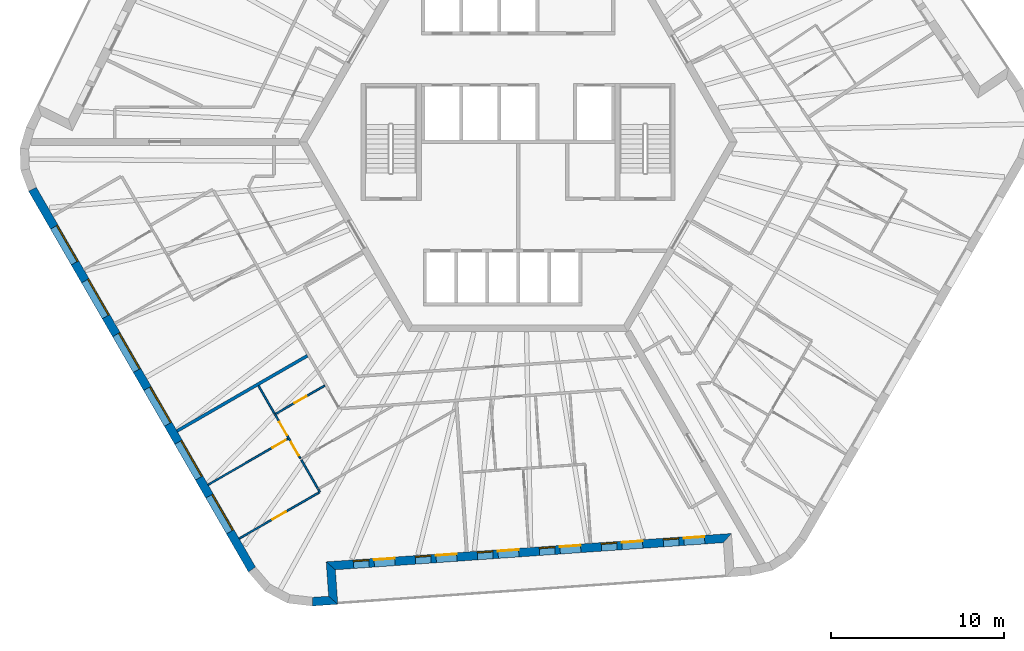
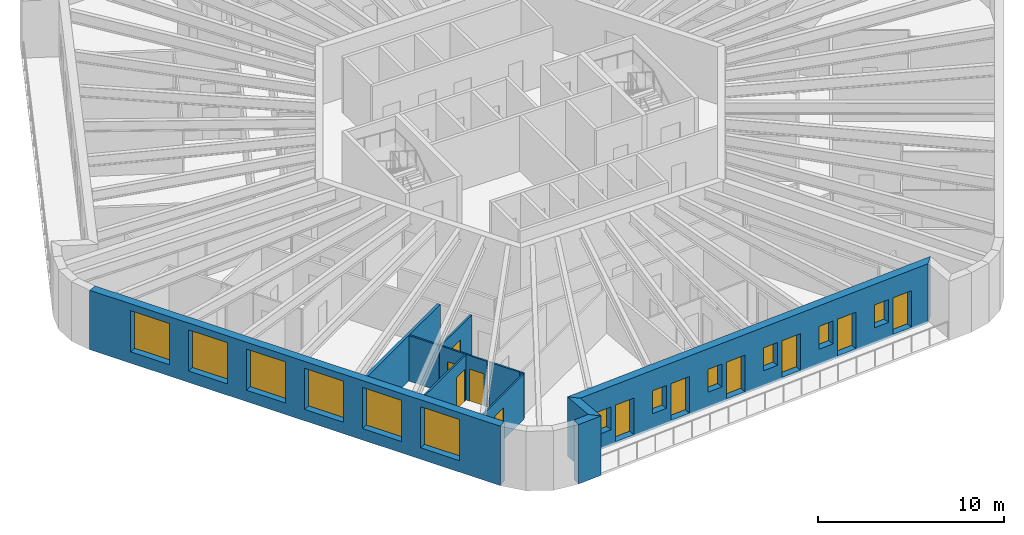
# One storey, part 3 of 12: 12 walls, 12 windows, 11 doors, 23 openings.
"""IFC4 building model written with IfcOpenShell, lengths in metres."""

from ifc_helpers import new_model, si_unit, direction, frame, frame_2d, origin, place, context, subcontext, project, spatial, polyline, rectangle, outline, extrude, material, layer, layer_set, type_object, element, fill, save


model = new_model("IFC4")

# Units and contexts
model_context = context("Model", 3, precision=1e-05, world=origin(), true_north=direction((0.0, 1.0)))
body_context = subcontext(model_context, "Body", "Model", "MODEL_VIEW")
ifc_project = project(units=[si_unit("LENGTHUNIT", "METRE"), si_unit("AREAUNIT", "SQUARE_METRE"), si_unit("VOLUMEUNIT", "CUBIC_METRE"), si_unit("PLANEANGLEUNIT", "RADIAN"), si_unit("MASSUNIT", "GRAM", prefix="KILO")], contexts=[model_context])

# Site, building, storey
site_placement = place(None, origin())
site = spatial("IfcSite", under=ifc_project, at=site_placement, CompositionType="ELEMENT")
building_placement = place(site_placement, origin())
building = spatial("IfcBuilding", under=site, at=building_placement, Name="Tarnside Tower", CompositionType="ELEMENT")
storey_placement = place(building_placement, frame((0.0, 0.0, 322.5)))
storey = spatial("IfcBuildingStorey", under=building, at=storey_placement, Name="L78", CompositionType="ELEMENT", Elevation=322.5)

# Wall, opening, door
ifc_material_1 = material(Name="Gypsum board partition on steel studs", Category="steel")
ifc_layer_1 = layer(ifc_material_1, 0.10009765625)
ifc_layer_set_1 = layer_set([ifc_layer_1], Name="Bathroom wall 100")
wall_type_1 = type_object("IfcWallType", Name="Bathroom wall 100", PredefinedType="PARTITIONING", material=ifc_layer_set_1)
wall_1_placement = place(storey_placement, frame((-11.215087890625, -14.124755859375, 0.0), z_axis=(0.0, 0.0, 1.0), x_axis=(-0.866020521143, -0.500008456887, 0.0)))
wall_1 = element("IfcWall", 1, at=wall_1_placement, inside=storey, type_object=wall_type_1, Name="Bathroom wall 25128", PredefinedType="PARTITIONING", context=body_context, shape_type="SweptSolid", body=[
    extrude(rectangle(XDim=3.3251953125, YDim=0.10009765625, at=frame_2d((1.66259765625, 0.0))), origin(), (0.0, 0.0, 1.0), 2.98779296875),
])
opening_1_placement = place(wall_1_placement, frame((1.22509765625, 0.0, 0.0)))
opening_1 = element("IfcOpeningElement", 2, at=opening_1_placement, cuts=wall_1, Name="Opening D-B1", PredefinedType="OPENING", context=body_context, shape_type="SweptSolid", body=[
    extrude(rectangle(XDim=0.800048828125, YDim=2.10009765625, at=frame_2d((0.39990234375, 1.050048828125))), frame((0.0, 0.06005859375, 0.0), z_axis=(0.0, -1.0, 0.0), x_axis=(1.0, 0.0, 0.0)), (0.0, 0.0, 1.0), 0.1201171875),
])
ifc_material_2 = material(Name="Timber door leaf", Category="wood")
door_type_1 = type_object("IfcDoorType", Name="Bathroom door 800", OperationType="NOTDEFINED", PredefinedType="DOOR", material=ifc_material_2)
door_1_placement = place(opening_1_placement, origin())
door_1 = element("IfcDoor", 3, at=door_1_placement, inside=storey, type_object=door_type_1, Name="Bathroom door 25030", OperationType="SINGLE_SWING_RIGHT", OverallHeight=2.10009765625, OverallWidth=0.800048828125, PredefinedType="DOOR", context=body_context, shape_type="SweptSolid", body=[
    extrude(rectangle(XDim=0.800048828125, YDim=2.10009765625, at=frame_2d((0.39990234375, 1.050048828125))), frame((0.0, 0.02490234375, 0.0), z_axis=(0.0, -1.0, 0.0), x_axis=(1.0, 0.0, 0.0)), (0.0, 0.0, 1.0), 0.050048828125),
])
fill(opening_1, door_1)

# Walls
wall_2_placement = place(storey_placement, frame((-15.0498046875, -14.133056640625, 0.0), z_axis=(0.0, 0.0, 1.0), x_axis=(0.500059143742, -0.865991254436, 0.0)))
element("IfcWall", 4, at=wall_2_placement, inside=storey, type_object=wall_type_1, Name="Bathroom wall 25132", PredefinedType="PARTITIONING", context=body_context, shape_type="SweptSolid", body=[
    extrude(rectangle(XDim=1.862060546875, YDim=0.10009765625, at=frame_2d((0.93115234375, 0.0))), origin(), (0.0, 0.0, 1.0), 2.98779296875),
])
wall_3_placement = place(storey_placement, frame((-11.61962890625, -20.073974609375, 0.0), z_axis=(0.0, 0.0, 1.0), x_axis=(-0.500119165741, 0.865956592479, 0.0)))
element("IfcWall", 5, at=wall_3_placement, inside=storey, type_object=wall_type_1, Name="Bathroom wall 25134", PredefinedType="PARTITIONING", context=body_context, shape_type="SweptSolid", body=[
    extrude(rectangle(XDim=1.89990234375, YDim=0.10009765625, at=frame_2d((0.949951171875, 0.0))), origin(), (0.0, 0.0, 1.0), 2.98779296875),
])
ifc_layer_2 = layer(ifc_material_1, 0.179931640625)
ifc_layer_set_2 = layer_set([ifc_layer_2], Name="Demising wall 180 EI 60")
wall_type_2 = type_object("IfcWallType", Name="Demising wall 180 EI 60", PredefinedType="PARTITIONING", material=ifc_layer_set_2)
wall_4_placement = place(storey_placement, frame((-19.771240234375, -16.755126953125, 0.0), z_axis=(0.0, 0.0, 1.0), x_axis=(0.866025292695, 0.500000192413, 0.0)))
element("IfcWall", 6, at=wall_4_placement, inside=storey, type_object=wall_type_2, Name="Demising wall 25116", PredefinedType="PARTITIONING", context=body_context, shape_type="SweptSolid", body=[
    extrude(rectangle(XDim=8.72509765625, YDim=0.179931640625, at=frame_2d((4.362548828125, 0.0))), origin(), (0.0, 0.0, 1.0), 2.98779296875),
])
ifc_material_3 = material(Name="Dark zinc cladding")
ifc_layer_3 = layer(ifc_material_3, 0.10205078125)
ifc_material_4 = material(Name="Concrete C60/75 precast", Category="concrete")
ifc_layer_4 = layer(ifc_material_4, 0.298095703125)
ifc_material_5 = material(Name="Mineral wool insulation")
ifc_layer_5 = layer(ifc_material_5, 0.10009765625)
ifc_layer_set_3 = layer_set([ifc_layer_3, ifc_layer_4, ifc_layer_5], Name="Loggia wall 500 zinc faced")
wall_type_3 = type_object("IfcWallType", Name="Loggia wall 500 zinc faced", PredefinedType="SOLIDWALL", material=ifc_layer_set_3)
wall_5_placement = place(storey_placement, frame((-11.91748046875, -26.646240234375, -0.14990234375), z_axis=(0.0, 0.0, 1.0), x_axis=(0.997562933087, 0.069772448216, 0.0)))
element("IfcWall", 7, at=wall_5_placement, inside=storey, type_object=wall_type_3, Name="Tube wall L78 F4 stub 16", PredefinedType="SOLIDWALL", context=body_context, shape_type="SweptSolid", body=[
    extrude(outline(polyline([(-0.0234375, -0.25), (1.4501953125, -0.25), (0.9501953125, 0.25), (0.0234375, 0.25), (-0.0234375, -0.25)])), origin(), (0.0, 0.0, 1.0), 3.89990234375),
])
wall_6_placement = place(storey_placement, frame((-10.72021484375, -26.5625, -0.14990234375), z_axis=(0.0, 0.0, 1.0), x_axis=(-0.069824268692, 0.99755930726, 0.0)))
element("IfcWall", 8, at=wall_6_placement, inside=storey, type_object=wall_type_3, Name="Tube wall L78 F4 return 17", PredefinedType="SOLIDWALL", context=body_context, shape_type="SweptSolid", body=[
    extrude(outline(polyline([(-0.25, -0.25), (1.75, -0.25), (2.25, 0.25), (0.25, 0.25), (-0.25, -0.25)])), origin(), (0.0, 0.0, 1.0), 3.89990234375),
])

# Wall, openings, doors, windows
wall_7_placement = place(storey_placement, frame((-10.85986328125, -24.5673828125, -0.14990234375), z_axis=(0.0, 0.0, 1.0), x_axis=(0.997564329317, 0.06975248292, 0.0)))
wall_7 = element("IfcWall", 9, at=wall_7_placement, inside=storey, type_object=wall_type_3, Name="Tube wall L78 F4 back 18", PredefinedType="SOLIDWALL", context=body_context, shape_type="SweptSolid", body=[
    extrude(outline(polyline([(0.25, -0.25), (22.794677734375, -0.25), (23.294677734375, 0.25), (-0.25, 0.25), (0.25, -0.25)])), origin(), (0.0, 0.0, 1.0), 3.89990234375),
])
opening_2_placement = place(wall_7_placement, frame((1.322509765625, 0.0, 1.050048828125)))
opening_2 = element("IfcOpeningElement", 10, at=opening_2_placement, cuts=wall_7, Name="Opening WL500", PredefinedType="OPENING", context=body_context, shape_type="SweptSolid", body=[
    extrude(rectangle(XDim=0.89990234375, YDim=1.5, at=frame_2d((0.449951171875, 0.75))), frame((0.0, 0.260009765625, 0.0), z_axis=(0.0, -1.0, 0.0), x_axis=(1.0, 0.0, 0.0)), (0.0, 0.0, 1.0), 0.52001953125),
])
opening_3_placement = place(wall_7_placement, frame((2.5224609375, 0.0, 0.14990234375)))
opening_3 = element("IfcOpeningElement", 11, at=opening_3_placement, cuts=wall_7, Name="Opening DB500", PredefinedType="OPENING", context=body_context, shape_type="SweptSolid", body=[
    extrude(rectangle(XDim=1.199951171875, YDim=2.39990234375, at=frame_2d((0.60009765625, 1.199951171875))), frame((0.0, 0.260009765625, 0.0), z_axis=(0.0, -1.0, 0.0), x_axis=(1.0, 0.0, 0.0)), (0.0, 0.0, 1.0), 0.52001953125),
])
opening_4_placement = place(wall_7_placement, frame((4.92236328125, 0.0, 1.050048828125)))
opening_4 = element("IfcOpeningElement", 12, at=opening_4_placement, cuts=wall_7, Name="Opening WL500", PredefinedType="OPENING", context=body_context, shape_type="SweptSolid", body=[
    extrude(rectangle(XDim=0.89990234375, YDim=1.5, at=frame_2d((0.449951171875, 0.75))), frame((0.0, 0.260009765625, 0.0), z_axis=(0.0, -1.0, 0.0), x_axis=(1.0, 0.0, 0.0)), (0.0, 0.0, 1.0), 0.52001953125),
])
opening_5_placement = place(wall_7_placement, frame((6.122314453125, 0.0, 0.14990234375)))
opening_5 = element("IfcOpeningElement", 13, at=opening_5_placement, cuts=wall_7, Name="Opening DB500", PredefinedType="OPENING", context=body_context, shape_type="SweptSolid", body=[
    extrude(rectangle(XDim=1.199951171875, YDim=2.39990234375, at=frame_2d((0.60009765625, 1.199951171875))), frame((0.0, 0.260009765625, 0.0), z_axis=(0.0, -1.0, 0.0), x_axis=(1.0, 0.0, 0.0)), (0.0, 0.0, 1.0), 0.52001953125),
])
opening_6_placement = place(wall_7_placement, frame((8.5224609375, 0.0, 1.050048828125)))
opening_6 = element("IfcOpeningElement", 14, at=opening_6_placement, cuts=wall_7, Name="Opening WL500", PredefinedType="OPENING", context=body_context, shape_type="SweptSolid", body=[
    extrude(rectangle(XDim=0.89990234375, YDim=1.5, at=frame_2d((0.449951171875, 0.75))), frame((0.0, 0.260009765625, 0.0), z_axis=(0.0, -1.0, 0.0), x_axis=(1.0, 0.0, 0.0)), (0.0, 0.0, 1.0), 0.52001953125),
])
opening_7_placement = place(wall_7_placement, frame((9.722412109375, 0.0, 0.14990234375)))
opening_7 = element("IfcOpeningElement", 15, at=opening_7_placement, cuts=wall_7, Name="Opening DB500", PredefinedType="OPENING", context=body_context, shape_type="SweptSolid", body=[
    extrude(rectangle(XDim=1.199951171875, YDim=2.39990234375, at=frame_2d((0.60009765625, 1.199951171875))), frame((0.0, 0.260009765625, 0.0), z_axis=(0.0, -1.0, 0.0), x_axis=(1.0, 0.0, 0.0)), (0.0, 0.0, 1.0), 0.52001953125),
])
opening_8_placement = place(wall_7_placement, frame((12.122314453125, 0.0, 1.050048828125)))
opening_8 = element("IfcOpeningElement", 16, at=opening_8_placement, cuts=wall_7, Name="Opening WL500", PredefinedType="OPENING", context=body_context, shape_type="SweptSolid", body=[
    extrude(rectangle(XDim=0.89990234375, YDim=1.5, at=frame_2d((0.449951171875, 0.75))), frame((0.0, 0.260009765625, 0.0), z_axis=(0.0, -1.0, 0.0), x_axis=(1.0, 0.0, 0.0)), (0.0, 0.0, 1.0), 0.52001953125),
])
opening_9_placement = place(wall_7_placement, frame((13.322509765625, 0.0, 0.14990234375)))
opening_9 = element("IfcOpeningElement", 17, at=opening_9_placement, cuts=wall_7, Name="Opening DB500", PredefinedType="OPENING", context=body_context, shape_type="SweptSolid", body=[
    extrude(rectangle(XDim=1.199951171875, YDim=2.39990234375, at=frame_2d((0.60009765625, 1.199951171875))), frame((0.0, 0.260009765625, 0.0), z_axis=(0.0, -1.0, 0.0), x_axis=(1.0, 0.0, 0.0)), (0.0, 0.0, 1.0), 0.52001953125),
])
opening_10_placement = place(wall_7_placement, frame((15.722412109375, 0.0, 1.050048828125)))
opening_10 = element("IfcOpeningElement", 18, at=opening_10_placement, cuts=wall_7, Name="Opening WL500", PredefinedType="OPENING", context=body_context, shape_type="SweptSolid", body=[
    extrude(rectangle(XDim=0.89990234375, YDim=1.5, at=frame_2d((0.449951171875, 0.75))), frame((0.0, 0.260009765625, 0.0), z_axis=(0.0, -1.0, 0.0), x_axis=(1.0, 0.0, 0.0)), (0.0, 0.0, 1.0), 0.52001953125),
])
opening_11_placement = place(wall_7_placement, frame((16.92236328125, 0.0, 0.14990234375)))
opening_11 = element("IfcOpeningElement", 19, at=opening_11_placement, cuts=wall_7, Name="Opening DB500", PredefinedType="OPENING", context=body_context, shape_type="SweptSolid", body=[
    extrude(rectangle(XDim=1.199951171875, YDim=2.39990234375, at=frame_2d((0.60009765625, 1.199951171875))), frame((0.0, 0.260009765625, 0.0), z_axis=(0.0, -1.0, 0.0), x_axis=(1.0, 0.0, 0.0)), (0.0, 0.0, 1.0), 0.52001953125),
])
opening_12_placement = place(wall_7_placement, frame((19.322509765625, 0.0, 1.050048828125)))
opening_12 = element("IfcOpeningElement", 20, at=opening_12_placement, cuts=wall_7, Name="Opening WL500", PredefinedType="OPENING", context=body_context, shape_type="SweptSolid", body=[
    extrude(rectangle(XDim=0.89990234375, YDim=1.5, at=frame_2d((0.449951171875, 0.75))), frame((0.0, 0.260009765625, 0.0), z_axis=(0.0, -1.0, 0.0), x_axis=(1.0, 0.0, 0.0)), (0.0, 0.0, 1.0), 0.52001953125),
])
opening_13_placement = place(wall_7_placement, frame((20.5224609375, 0.0, 0.14990234375)))
opening_13 = element("IfcOpeningElement", 21, at=opening_13_placement, cuts=wall_7, Name="Opening DB500", PredefinedType="OPENING", context=body_context, shape_type="SweptSolid", body=[
    extrude(rectangle(XDim=1.199951171875, YDim=2.39990234375, at=frame_2d((0.60009765625, 1.199951171875))), frame((0.0, 0.260009765625, 0.0), z_axis=(0.0, -1.0, 0.0), x_axis=(1.0, 0.0, 0.0)), (0.0, 0.0, 1.0), 0.52001953125),
])
ifc_material_6 = material(Name="Aluminium-framed double glazing", Category="aluminium")
door_type_2 = type_object("IfcDoorType", Name="Balcony sliding door 1200 x 2400 in 500 wall", OperationType="SLIDING_TO_LEFT", PredefinedType="DOOR", material=ifc_material_6)
door_2_placement = place(opening_3_placement, frame((0.0, 0.1748046875, 0.0)))
door_2 = element("IfcDoor", 22, at=door_2_placement, inside=storey, type_object=door_type_2, Name="E.BD.L78.F4.00", OperationType="SLIDING_TO_LEFT", OverallHeight=2.39990234375, OverallWidth=1.199951171875, PredefinedType="DOOR", context=body_context, shape_type="SweptSolid", body=[
    extrude(rectangle(XDim=1.199951171875, YDim=2.39990234375, at=frame_2d((0.60009765625, 1.199951171875))), frame((0.0, 0.02490234375, 0.0), z_axis=(0.0, -1.0, 0.0), x_axis=(1.0, 0.0, 0.0)), (0.0, 0.0, 1.0), 0.050048828125),
])
fill(opening_3, door_2)
door_3_placement = place(opening_5_placement, frame((0.0, 0.1748046875, 0.0)))
door_3 = element("IfcDoor", 23, at=door_3_placement, inside=storey, type_object=door_type_2, Name="E.BD.L78.F4.01", OperationType="SLIDING_TO_LEFT", OverallHeight=2.39990234375, OverallWidth=1.199951171875, PredefinedType="DOOR", context=body_context, shape_type="SweptSolid", body=[
    extrude(rectangle(XDim=1.199951171875, YDim=2.39990234375, at=frame_2d((0.60009765625, 1.199951171875))), frame((0.0, 0.02490234375, 0.0), z_axis=(0.0, -1.0, 0.0), x_axis=(1.0, 0.0, 0.0)), (0.0, 0.0, 1.0), 0.050048828125),
])
fill(opening_5, door_3)
door_4_placement = place(opening_7_placement, frame((0.0, 0.1748046875, 0.0)))
door_4 = element("IfcDoor", 24, at=door_4_placement, inside=storey, type_object=door_type_2, Name="E.BD.L78.F4.02", OperationType="SLIDING_TO_LEFT", OverallHeight=2.39990234375, OverallWidth=1.199951171875, PredefinedType="DOOR", context=body_context, shape_type="SweptSolid", body=[
    extrude(rectangle(XDim=1.199951171875, YDim=2.39990234375, at=frame_2d((0.60009765625, 1.199951171875))), frame((0.0, 0.02490234375, 0.0), z_axis=(0.0, -1.0, 0.0), x_axis=(1.0, 0.0, 0.0)), (0.0, 0.0, 1.0), 0.050048828125),
])
fill(opening_7, door_4)
door_5_placement = place(opening_9_placement, frame((0.0, 0.1748046875, 0.0)))
door_5 = element("IfcDoor", 25, at=door_5_placement, inside=storey, type_object=door_type_2, Name="E.BD.L78.F4.03", OperationType="SLIDING_TO_LEFT", OverallHeight=2.39990234375, OverallWidth=1.199951171875, PredefinedType="DOOR", context=body_context, shape_type="SweptSolid", body=[
    extrude(rectangle(XDim=1.199951171875, YDim=2.39990234375, at=frame_2d((0.60009765625, 1.199951171875))), frame((0.0, 0.02490234375, 0.0), z_axis=(0.0, -1.0, 0.0), x_axis=(1.0, 0.0, 0.0)), (0.0, 0.0, 1.0), 0.050048828125),
])
fill(opening_9, door_5)
door_6_placement = place(opening_11_placement, frame((0.0, 0.1748046875, 0.0)))
door_6 = element("IfcDoor", 26, at=door_6_placement, inside=storey, type_object=door_type_2, Name="E.BD.L78.F4.04", OperationType="SLIDING_TO_LEFT", OverallHeight=2.39990234375, OverallWidth=1.199951171875, PredefinedType="DOOR", context=body_context, shape_type="SweptSolid", body=[
    extrude(rectangle(XDim=1.199951171875, YDim=2.39990234375, at=frame_2d((0.60009765625, 1.199951171875))), frame((0.0, 0.02490234375, 0.0), z_axis=(0.0, -1.0, 0.0), x_axis=(1.0, 0.0, 0.0)), (0.0, 0.0, 1.0), 0.050048828125),
])
fill(opening_11, door_6)
door_7_placement = place(opening_13_placement, frame((0.0, 0.1748046875, 0.0)))
door_7 = element("IfcDoor", 27, at=door_7_placement, inside=storey, type_object=door_type_2, Name="E.BD.L78.F4.05", OperationType="SLIDING_TO_LEFT", OverallHeight=2.39990234375, OverallWidth=1.199951171875, PredefinedType="DOOR", context=body_context, shape_type="SweptSolid", body=[
    extrude(rectangle(XDim=1.199951171875, YDim=2.39990234375, at=frame_2d((0.60009765625, 1.199951171875))), frame((0.0, 0.02490234375, 0.0), z_axis=(0.0, -1.0, 0.0), x_axis=(1.0, 0.0, 0.0)), (0.0, 0.0, 1.0), 0.050048828125),
])
fill(opening_13, door_7)
window_type_1 = type_object("IfcWindowType", Name="Loggia window 900 x 1500 in 500 wall", PartitioningType="SINGLE_PANEL", PredefinedType="WINDOW", material=ifc_material_6)
window_1_placement = place(opening_2_placement, frame((0.0, 0.179931640625, 0.0)))
window_1 = element("IfcWindow", 28, at=window_1_placement, inside=storey, type_object=window_type_1, Name="E.LW.L78.F4.00", OverallHeight=1.5, OverallWidth=0.89990234375, PartitioningType="SINGLE_PANEL", PredefinedType="WINDOW", context=body_context, shape_type="SweptSolid", body=[
    extrude(rectangle(XDim=0.89990234375, YDim=1.5, at=frame_2d((0.449951171875, 0.75))), frame((0.0, 0.030029296875, 0.0), z_axis=(0.0, -1.0, 0.0), x_axis=(1.0, 0.0, 0.0)), (0.0, 0.0, 1.0), 0.06005859375),
])
fill(opening_2, window_1)
window_2_placement = place(opening_4_placement, frame((0.0, 0.179931640625, 0.0)))
window_2 = element("IfcWindow", 29, at=window_2_placement, inside=storey, type_object=window_type_1, Name="E.LW.L78.F4.01", OverallHeight=1.5, OverallWidth=0.89990234375, PartitioningType="SINGLE_PANEL", PredefinedType="WINDOW", context=body_context, shape_type="SweptSolid", body=[
    extrude(rectangle(XDim=0.89990234375, YDim=1.5, at=frame_2d((0.449951171875, 0.75))), frame((0.0, 0.030029296875, 0.0), z_axis=(0.0, -1.0, 0.0), x_axis=(1.0, 0.0, 0.0)), (0.0, 0.0, 1.0), 0.06005859375),
])
fill(opening_4, window_2)
window_3_placement = place(opening_6_placement, frame((0.0, 0.179931640625, 0.0)))
window_3 = element("IfcWindow", 30, at=window_3_placement, inside=storey, type_object=window_type_1, Name="E.LW.L78.F4.02", OverallHeight=1.5, OverallWidth=0.89990234375, PartitioningType="SINGLE_PANEL", PredefinedType="WINDOW", context=body_context, shape_type="SweptSolid", body=[
    extrude(rectangle(XDim=0.89990234375, YDim=1.5, at=frame_2d((0.449951171875, 0.75))), frame((0.0, 0.030029296875, 0.0), z_axis=(0.0, -1.0, 0.0), x_axis=(1.0, 0.0, 0.0)), (0.0, 0.0, 1.0), 0.06005859375),
])
fill(opening_6, window_3)
window_4_placement = place(opening_8_placement, frame((0.0, 0.179931640625, 0.0)))
window_4 = element("IfcWindow", 31, at=window_4_placement, inside=storey, type_object=window_type_1, Name="E.LW.L78.F4.03", OverallHeight=1.5, OverallWidth=0.89990234375, PartitioningType="SINGLE_PANEL", PredefinedType="WINDOW", context=body_context, shape_type="SweptSolid", body=[
    extrude(rectangle(XDim=0.89990234375, YDim=1.5, at=frame_2d((0.449951171875, 0.75))), frame((0.0, 0.030029296875, 0.0), z_axis=(0.0, -1.0, 0.0), x_axis=(1.0, 0.0, 0.0)), (0.0, 0.0, 1.0), 0.06005859375),
])
fill(opening_8, window_4)
window_5_placement = place(opening_10_placement, frame((0.0, 0.179931640625, 0.0)))
window_5 = element("IfcWindow", 32, at=window_5_placement, inside=storey, type_object=window_type_1, Name="E.LW.L78.F4.04", OverallHeight=1.5, OverallWidth=0.89990234375, PartitioningType="SINGLE_PANEL", PredefinedType="WINDOW", context=body_context, shape_type="SweptSolid", body=[
    extrude(rectangle(XDim=0.89990234375, YDim=1.5, at=frame_2d((0.449951171875, 0.75))), frame((0.0, 0.030029296875, 0.0), z_axis=(0.0, -1.0, 0.0), x_axis=(1.0, 0.0, 0.0)), (0.0, 0.0, 1.0), 0.06005859375),
])
fill(opening_10, window_5)
window_6_placement = place(opening_12_placement, frame((0.0, 0.179931640625, 0.0)))
window_6 = element("IfcWindow", 33, at=window_6_placement, inside=storey, type_object=window_type_1, Name="E.LW.L78.F4.05", OverallHeight=1.5, OverallWidth=0.89990234375, PartitioningType="SINGLE_PANEL", PredefinedType="WINDOW", context=body_context, shape_type="SweptSolid", body=[
    extrude(rectangle(XDim=0.89990234375, YDim=1.5, at=frame_2d((0.449951171875, 0.75))), frame((0.0, 0.030029296875, 0.0), z_axis=(0.0, -1.0, 0.0), x_axis=(1.0, 0.0, 0.0)), (0.0, 0.0, 1.0), 0.06005859375),
])
fill(opening_12, window_6)

# Wall
ifc_layer_6 = layer(ifc_material_1, 0.10009765625)
ifc_layer_set_4 = layer_set([ifc_layer_6], Name="Partition 100")
wall_type_4 = type_object("IfcWallType", Name="Partition 100", PredefinedType="PARTITIONING", material=ifc_layer_set_4)
wall_8_placement = place(storey_placement, frame((-11.595703125, -20.11572265625, 0.0), z_axis=(0.0, 0.0, 1.0), x_axis=(0.500559585819, -0.865702085619, 0.0)))
element("IfcWall", 34, at=wall_8_placement, inside=storey, type_object=wall_type_4, Name="Partition wall 25123", PredefinedType="PARTITIONING", context=body_context, shape_type="SweptSolid", body=[
    extrude(rectangle(XDim=0.201904296875, YDim=0.10009765625, at=frame_2d((0.10107421875, 0.0))), origin(), (0.0, 0.0, 1.0), 2.98779296875),
])

# Wall, opening, door
wall_9_placement = place(storey_placement, frame((-11.5380859375, -20.315673828125, 0.0), z_axis=(0.0, 0.0, 1.0), x_axis=(-0.866032834954, -0.499987128616, 0.0)))
wall_9 = element("IfcWall", 35, at=wall_9_placement, inside=storey, type_object=wall_type_4, Name="Partition wall 25124", PredefinedType="PARTITIONING", context=body_context, shape_type="SweptSolid", body=[
    extrude(rectangle(XDim=5.349853515625, YDim=0.10009765625, at=frame_2d((2.6748046875, 0.0))), origin(), (0.0, 0.0, 1.0), 2.98779296875),
])
opening_14_placement = place(wall_9_placement, frame((2.22509765625, 0.0, 0.0)))
opening_14 = element("IfcOpeningElement", 36, at=opening_14_placement, cuts=wall_9, Name="Opening D-I1", PredefinedType="OPENING", context=body_context, shape_type="SweptSolid", body=[
    extrude(rectangle(XDim=0.89990234375, YDim=2.10009765625, at=frame_2d((0.449951171875, 1.050048828125))), frame((0.0, 0.06005859375, 0.0), z_axis=(0.0, -1.0, 0.0), x_axis=(1.0, 0.0, 0.0)), (0.0, 0.0, 1.0), 0.1201171875),
])
door_type_3 = type_object("IfcDoorType", Name="Internal door 900", OperationType="NOTDEFINED", PredefinedType="DOOR", material=ifc_material_2)
door_8_placement = place(opening_14_placement, origin())
door_8 = element("IfcDoor", 37, at=door_8_placement, inside=storey, type_object=door_type_3, Name="Internal door 25069", OperationType="SINGLE_SWING_RIGHT", OverallHeight=2.10009765625, OverallWidth=0.89990234375, PredefinedType="DOOR", context=body_context, shape_type="SweptSolid", body=[
    extrude(rectangle(XDim=0.89990234375, YDim=2.10009765625, at=frame_2d((0.449951171875, 1.050048828125))), frame((0.0, 0.02490234375, 0.0), z_axis=(0.0, -1.0, 0.0), x_axis=(1.0, 0.0, 0.0)), (0.0, 0.0, 1.0), 0.050048828125),
])
fill(opening_14, door_8)

# Wall, openings, doors
wall_10_placement = place(storey_placement, frame((-14.095703125, -15.785400390625, 0.0), z_axis=(0.0, 0.0, 1.0), x_axis=(0.49999668571, -0.866027317282, 0.0)))
wall_10 = element("IfcWall", 38, at=wall_10_placement, inside=storey, type_object=wall_type_4, Name="Partition wall 25129", PredefinedType="PARTITIONING", context=body_context, shape_type="SweptSolid", body=[
    extrude(rectangle(XDim=2.9541015625, YDim=0.10009765625, at=frame_2d((1.47705078125, 0.0))), origin(), (0.0, 0.0, 1.0), 2.98779296875),
])
opening_15_placement = place(wall_10_placement, frame((0.501953125, 0.0, 0.0)))
opening_15 = element("IfcOpeningElement", 39, at=opening_15_placement, cuts=wall_10, Name="Opening D-I1", PredefinedType="OPENING", context=body_context, shape_type="SweptSolid", body=[
    extrude(rectangle(XDim=0.89990234375, YDim=2.10009765625, at=frame_2d((0.449951171875, 1.050048828125))), frame((0.0, 0.06005859375, 0.0), z_axis=(0.0, -1.0, 0.0), x_axis=(1.0, 0.0, 0.0)), (0.0, 0.0, 1.0), 0.1201171875),
])
opening_16_placement = place(wall_10_placement, frame((1.85205078125, 0.0, 0.0)))
opening_16 = element("IfcOpeningElement", 40, at=opening_16_placement, cuts=wall_10, Name="Opening D-I1", PredefinedType="OPENING", context=body_context, shape_type="SweptSolid", body=[
    extrude(rectangle(XDim=0.89990234375, YDim=2.10009765625, at=frame_2d((0.449951171875, 1.050048828125))), frame((0.0, 0.06005859375, 0.0), z_axis=(0.0, -1.0, 0.0), x_axis=(1.0, 0.0, 0.0)), (0.0, 0.0, 1.0), 0.1201171875),
])
door_9_placement = place(opening_15_placement, origin())
door_9 = element("IfcDoor", 41, at=door_9_placement, inside=storey, type_object=door_type_3, Name="Internal door 25032", OperationType="SINGLE_SWING_LEFT", OverallHeight=2.10009765625, OverallWidth=0.89990234375, PredefinedType="DOOR", context=body_context, shape_type="SweptSolid", body=[
    extrude(rectangle(XDim=0.89990234375, YDim=2.10009765625, at=frame_2d((0.449951171875, 1.050048828125))), frame((0.0, 0.02490234375, 0.0), z_axis=(0.0, -1.0, 0.0), x_axis=(1.0, 0.0, 0.0)), (0.0, 0.0, 1.0), 0.050048828125),
])
fill(opening_15, door_9)
door_10_placement = place(opening_16_placement, origin())
door_10 = element("IfcDoor", 42, at=door_10_placement, inside=storey, type_object=door_type_3, Name="Internal door 25036", OperationType="SINGLE_SWING_RIGHT", OverallHeight=2.10009765625, OverallWidth=0.89990234375, PredefinedType="DOOR", context=body_context, shape_type="SweptSolid", body=[
    extrude(rectangle(XDim=0.89990234375, YDim=2.10009765625, at=frame_2d((0.449951171875, 1.050048828125))), frame((0.0, 0.02490234375, 0.0), z_axis=(0.0, -1.0, 0.0), x_axis=(1.0, 0.0, 0.0)), (0.0, 0.0, 1.0), 0.050048828125),
])
fill(opening_16, door_10)

# Wall, opening, door
wall_11_placement = place(storey_placement, frame((-17.97119140625, -19.872802734375, 0.0), z_axis=(0.0, 0.0, 1.0), x_axis=(0.866032834954, 0.499987128616, 0.0)))
wall_11 = element("IfcWall", 43, at=wall_11_placement, inside=storey, type_object=wall_type_4, Name="Partition wall 25133", PredefinedType="PARTITIONING", context=body_context, shape_type="SweptSolid", body=[
    extrude(rectangle(XDim=5.349853515625, YDim=0.10009765625, at=frame_2d((2.6748046875, 0.0))), origin(), (0.0, 0.0, 1.0), 2.98779296875),
])
opening_17_placement = place(wall_11_placement, frame((4.300048828125, 0.0, 0.0)))
opening_17 = element("IfcOpeningElement", 44, at=opening_17_placement, cuts=wall_11, Name="Opening D-I1", PredefinedType="OPENING", context=body_context, shape_type="SweptSolid", body=[
    extrude(rectangle(XDim=0.89990234375, YDim=2.10009765625, at=frame_2d((0.449951171875, 1.050048828125))), frame((0.0, 0.06005859375, 0.0), z_axis=(0.0, -1.0, 0.0), x_axis=(1.0, 0.0, 0.0)), (0.0, 0.0, 1.0), 0.1201171875),
])
door_11_placement = place(opening_17_placement, origin())
door_11 = element("IfcDoor", 45, at=door_11_placement, inside=storey, type_object=door_type_3, Name="Internal door 25035", OperationType="SINGLE_SWING_RIGHT", OverallHeight=2.10009765625, OverallWidth=0.89990234375, PredefinedType="DOOR", context=body_context, shape_type="SweptSolid", body=[
    extrude(rectangle(XDim=0.89990234375, YDim=2.10009765625, at=frame_2d((0.449951171875, 1.050048828125))), frame((0.0, 0.02490234375, 0.0), z_axis=(0.0, -1.0, 0.0), x_axis=(1.0, 0.0, 0.0)), (0.0, 0.0, 1.0), 0.050048828125),
])
fill(opening_17, door_11)

# Wall, openings, windows
ifc_material_7 = material(Name="Facing brick", Category="masonry")
ifc_layer_7 = layer(ifc_material_7, 0.10205078125)
ifc_layer_8 = layer(ifc_material_4, 0.298095703125)
ifc_layer_9 = layer(ifc_material_5, 0.10009765625)
ifc_layer_set_5 = layer_set([ifc_layer_7, ifc_layer_8, ifc_layer_9], Name="Tube wall 500 brick faced")
wall_type_5 = type_object("IfcWallType", Name="Tube wall 500 brick faced", PredefinedType="SOLIDWALL", material=ifc_layer_set_5)
wall_12_placement = place(storey_placement, frame((-28.14892578125, -2.74462890625, -0.14990234375), z_axis=(0.0, 0.0, 1.0), x_axis=(0.500003737743, -0.866023245787, 0.0)))
wall_12 = element("IfcWall", 46, at=wall_12_placement, inside=storey, type_object=wall_type_5, Name="Tube wall L78 F3 flush 12", PredefinedType="SOLIDWALL", context=body_context, shape_type="SweptSolid", body=[
    extrude(outline(polyline([(-0.0205078125, -0.25), (25.468017578125, -0.25), (25.421142578125, 0.25), (0.0205078125, 0.25), (-0.0205078125, -0.25)])), origin(), (0.0, 0.0, 1.0), 3.89990234375),
])
opening_18_placement = place(wall_12_placement, frame((2.5224609375, 0.0, 0.75)))
opening_18 = element("IfcOpeningElement", 47, at=opening_18_placement, cuts=wall_12, Name="Opening WR", PredefinedType="OPENING", context=body_context, shape_type="SweptSolid", body=[
    extrude(rectangle(XDim=2.39990234375, YDim=2.699951171875, at=frame_2d((1.199951171875, 1.35009765625))), frame((0.0, 0.260009765625, 0.0), z_axis=(0.0, -1.0, 0.0), x_axis=(1.0, 0.0, 0.0)), (0.0, 0.0, 1.0), 0.52001953125),
])
opening_19_placement = place(wall_12_placement, frame((6.122314453125, 0.0, 0.75)))
opening_19 = element("IfcOpeningElement", 48, at=opening_19_placement, cuts=wall_12, Name="Opening WR", PredefinedType="OPENING", context=body_context, shape_type="SweptSolid", body=[
    extrude(rectangle(XDim=2.39990234375, YDim=2.699951171875, at=frame_2d((1.199951171875, 1.35009765625))), frame((0.0, 0.260009765625, 0.0), z_axis=(0.0, -1.0, 0.0), x_axis=(1.0, 0.0, 0.0)), (0.0, 0.0, 1.0), 0.52001953125),
])
opening_20_placement = place(wall_12_placement, frame((9.722412109375, 0.0, 0.75)))
opening_20 = element("IfcOpeningElement", 49, at=opening_20_placement, cuts=wall_12, Name="Opening WR", PredefinedType="OPENING", context=body_context, shape_type="SweptSolid", body=[
    extrude(rectangle(XDim=2.39990234375, YDim=2.699951171875, at=frame_2d((1.199951171875, 1.35009765625))), frame((0.0, 0.260009765625, 0.0), z_axis=(0.0, -1.0, 0.0), x_axis=(1.0, 0.0, 0.0)), (0.0, 0.0, 1.0), 0.52001953125),
])
opening_21_placement = place(wall_12_placement, frame((13.322509765625, 0.0, 0.75)))
opening_21 = element("IfcOpeningElement", 50, at=opening_21_placement, cuts=wall_12, Name="Opening WR", PredefinedType="OPENING", context=body_context, shape_type="SweptSolid", body=[
    extrude(rectangle(XDim=2.39990234375, YDim=2.699951171875, at=frame_2d((1.199951171875, 1.35009765625))), frame((0.0, 0.260009765625, 0.0), z_axis=(0.0, -1.0, 0.0), x_axis=(1.0, 0.0, 0.0)), (0.0, 0.0, 1.0), 0.52001953125),
])
opening_22_placement = place(wall_12_placement, frame((16.92236328125, 0.0, 0.75)))
opening_22 = element("IfcOpeningElement", 51, at=opening_22_placement, cuts=wall_12, Name="Opening WR", PredefinedType="OPENING", context=body_context, shape_type="SweptSolid", body=[
    extrude(rectangle(XDim=2.39990234375, YDim=2.699951171875, at=frame_2d((1.199951171875, 1.35009765625))), frame((0.0, 0.260009765625, 0.0), z_axis=(0.0, -1.0, 0.0), x_axis=(1.0, 0.0, 0.0)), (0.0, 0.0, 1.0), 0.52001953125),
])
opening_23_placement = place(wall_12_placement, frame((20.5224609375, 0.0, 0.75)))
opening_23 = element("IfcOpeningElement", 52, at=opening_23_placement, cuts=wall_12, Name="Opening WR", PredefinedType="OPENING", context=body_context, shape_type="SweptSolid", body=[
    extrude(rectangle(XDim=2.39990234375, YDim=2.699951171875, at=frame_2d((1.199951171875, 1.35009765625))), frame((0.0, 0.260009765625, 0.0), z_axis=(0.0, -1.0, 0.0), x_axis=(1.0, 0.0, 0.0)), (0.0, 0.0, 1.0), 0.52001953125),
])
window_type_2 = type_object("IfcWindowType", Name="Residence window 2400 x 2700", PartitioningType="DOUBLE_PANEL_VERTICAL", PredefinedType="WINDOW", material=ifc_material_6)
window_7_placement = place(opening_18_placement, frame((0.0, 0.179931640625, 0.0)))
window_7 = element("IfcWindow", 53, at=window_7_placement, inside=storey, type_object=window_type_2, Name="E.WN.L78.F3.00", OverallHeight=2.699951171875, OverallWidth=2.39990234375, PartitioningType="DOUBLE_PANEL_VERTICAL", PredefinedType="WINDOW", context=body_context, shape_type="SweptSolid", body=[
    extrude(rectangle(XDim=2.39990234375, YDim=2.699951171875, at=frame_2d((1.199951171875, 1.35009765625))), frame((0.0, 0.030029296875, 0.0), z_axis=(0.0, -1.0, 0.0), x_axis=(1.0, 0.0, 0.0)), (0.0, 0.0, 1.0), 0.06005859375),
])
fill(opening_18, window_7)
window_8_placement = place(opening_19_placement, frame((0.0, 0.179931640625, 0.0)))
window_8 = element("IfcWindow", 54, at=window_8_placement, inside=storey, type_object=window_type_2, Name="E.WN.L78.F3.01", OverallHeight=2.699951171875, OverallWidth=2.39990234375, PartitioningType="DOUBLE_PANEL_VERTICAL", PredefinedType="WINDOW", context=body_context, shape_type="SweptSolid", body=[
    extrude(rectangle(XDim=2.39990234375, YDim=2.699951171875, at=frame_2d((1.199951171875, 1.35009765625))), frame((0.0, 0.030029296875, 0.0), z_axis=(0.0, -1.0, 0.0), x_axis=(1.0, 0.0, 0.0)), (0.0, 0.0, 1.0), 0.06005859375),
])
fill(opening_19, window_8)
window_9_placement = place(opening_20_placement, frame((0.0, 0.179931640625, 0.0)))
window_9 = element("IfcWindow", 55, at=window_9_placement, inside=storey, type_object=window_type_2, Name="E.WN.L78.F3.02", OverallHeight=2.699951171875, OverallWidth=2.39990234375, PartitioningType="DOUBLE_PANEL_VERTICAL", PredefinedType="WINDOW", context=body_context, shape_type="SweptSolid", body=[
    extrude(rectangle(XDim=2.39990234375, YDim=2.699951171875, at=frame_2d((1.199951171875, 1.35009765625))), frame((0.0, 0.030029296875, 0.0), z_axis=(0.0, -1.0, 0.0), x_axis=(1.0, 0.0, 0.0)), (0.0, 0.0, 1.0), 0.06005859375),
])
fill(opening_20, window_9)
window_10_placement = place(opening_21_placement, frame((0.0, 0.179931640625, 0.0)))
window_10 = element("IfcWindow", 56, at=window_10_placement, inside=storey, type_object=window_type_2, Name="E.WN.L78.F3.03", OverallHeight=2.699951171875, OverallWidth=2.39990234375, PartitioningType="DOUBLE_PANEL_VERTICAL", PredefinedType="WINDOW", context=body_context, shape_type="SweptSolid", body=[
    extrude(rectangle(XDim=2.39990234375, YDim=2.699951171875, at=frame_2d((1.199951171875, 1.35009765625))), frame((0.0, 0.030029296875, 0.0), z_axis=(0.0, -1.0, 0.0), x_axis=(1.0, 0.0, 0.0)), (0.0, 0.0, 1.0), 0.06005859375),
])
fill(opening_21, window_10)
window_11_placement = place(opening_22_placement, frame((0.0, 0.179931640625, 0.0)))
window_11 = element("IfcWindow", 57, at=window_11_placement, inside=storey, type_object=window_type_2, Name="E.WN.L78.F3.04", OverallHeight=2.699951171875, OverallWidth=2.39990234375, PartitioningType="DOUBLE_PANEL_VERTICAL", PredefinedType="WINDOW", context=body_context, shape_type="SweptSolid", body=[
    extrude(rectangle(XDim=2.39990234375, YDim=2.699951171875, at=frame_2d((1.199951171875, 1.35009765625))), frame((0.0, 0.030029296875, 0.0), z_axis=(0.0, -1.0, 0.0), x_axis=(1.0, 0.0, 0.0)), (0.0, 0.0, 1.0), 0.06005859375),
])
fill(opening_22, window_11)
window_12_placement = place(opening_23_placement, frame((0.0, 0.179931640625, 0.0)))
window_12 = element("IfcWindow", 58, at=window_12_placement, inside=storey, type_object=window_type_2, Name="E.WN.L78.F3.05", OverallHeight=2.699951171875, OverallWidth=2.39990234375, PartitioningType="DOUBLE_PANEL_VERTICAL", PredefinedType="WINDOW", context=body_context, shape_type="SweptSolid", body=[
    extrude(rectangle(XDim=2.39990234375, YDim=2.699951171875, at=frame_2d((1.199951171875, 1.35009765625))), frame((0.0, 0.030029296875, 0.0), z_axis=(0.0, -1.0, 0.0), x_axis=(1.0, 0.0, 0.0)), (0.0, 0.0, 1.0), 0.06005859375),
])
fill(opening_23, window_12)

save(model, "model.ifc")
